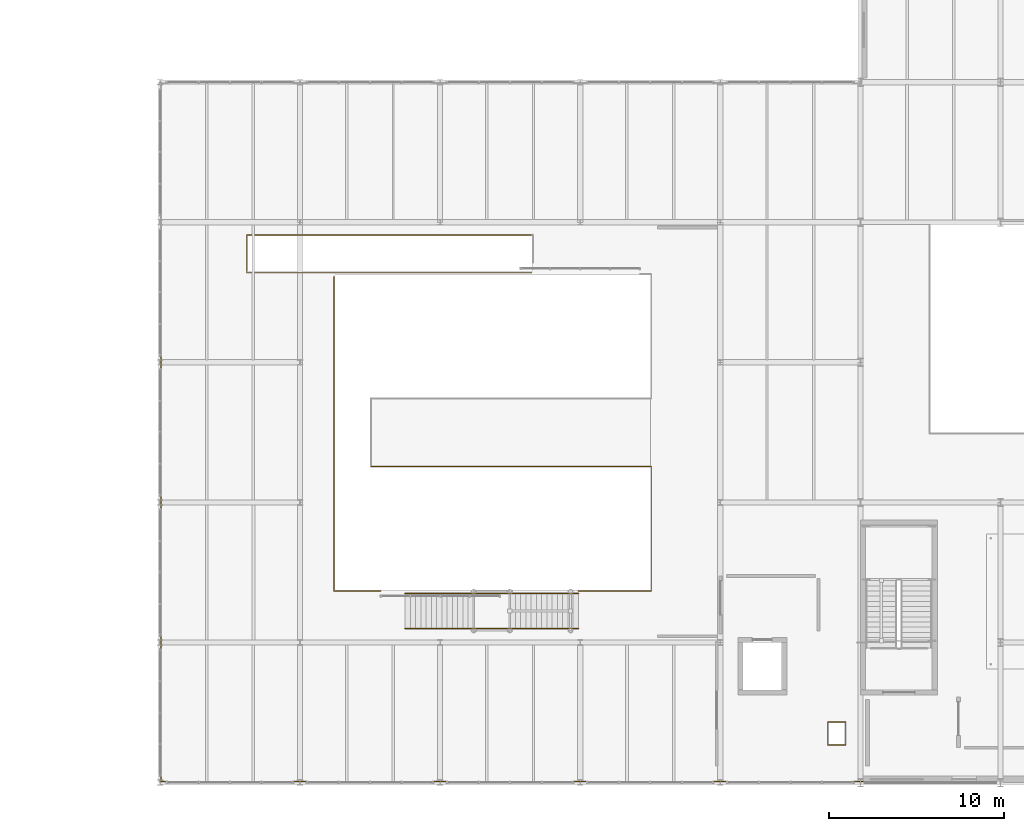
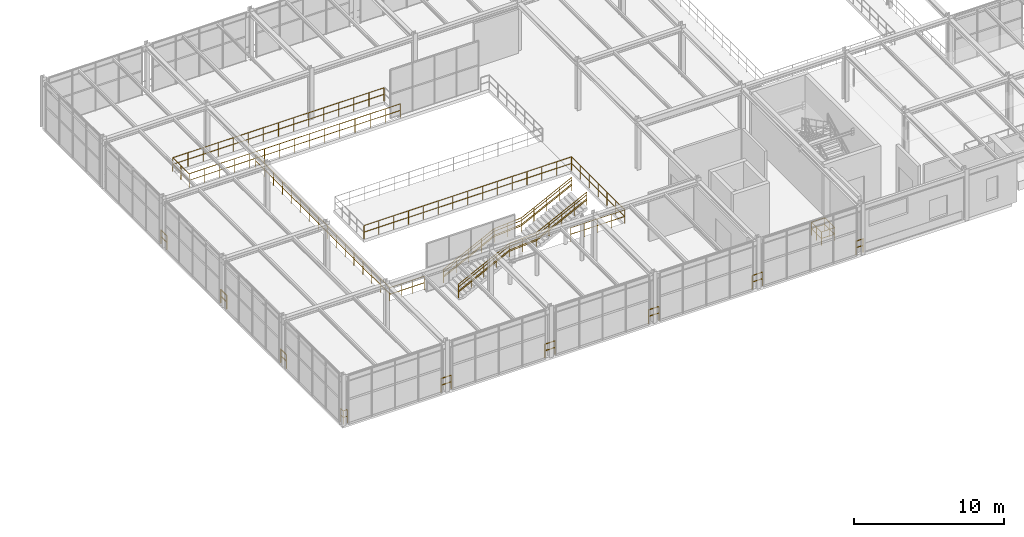
# One storey, part 116 of 124: 17 railings.
"""IFC4 building model written with IfcOpenShell, lengths in metres."""

from ifc_helpers import new_model, si_unit, direction, frame, origin, origin_2d, place, context, subcontext, project, spatial, circle, extrude, material, type_object, element, save


model = new_model("IFC4")

# Units and contexts
model_context = context("Model", 3, precision=1e-05, world=origin(), true_north=direction((0.0, 1.0)))
body_context = subcontext(model_context, "Body", "Model", "MODEL_VIEW")
ifc_project = project(units=[si_unit("LENGTHUNIT", "METRE"), si_unit("AREAUNIT", "SQUARE_METRE"), si_unit("VOLUMEUNIT", "CUBIC_METRE"), si_unit("PLANEANGLEUNIT", "RADIAN"), si_unit("MASSUNIT", "GRAM", prefix="KILO")], contexts=[model_context])

# Site, building, storey
site_placement = place(None, origin())
site = spatial("IfcSite", under=ifc_project, at=site_placement, CompositionType="ELEMENT")
building_placement = place(site_placement, origin())
building = spatial("IfcBuilding", under=site, at=building_placement, Name="Sundkrona Museum", CompositionType="ELEMENT")
storey_placement = place(building_placement, frame((0.0, 0.0, 17.60009765625)))
storey = spatial("IfcBuildingStorey", under=building, at=storey_placement, Name="L03", CompositionType="ELEMENT", Elevation=17.60009765625)

# Railings
ifc_material_1 = material(Name="Painted Steel S355J2 and Laminated Glass Balustrade", Category="steel")
railing_type_1 = type_object("IfcRailingType", Name="RL-GUARD-1100", PredefinedType="BALUSTRADE", material=ifc_material_1)
railing_1_placement = place(storey_placement, frame((101.239990234375, 29.1201171875, 0.0)))
element("IfcRailing", 1, at=railing_1_placement, inside=storey, type_object=railing_type_1, Name="FS-3 Arrival Floor Well Balustrade", PredefinedType="BALUSTRADE", context=body_context, shape_type="SweptSolid", body=[
    extrude(circle(Radius=0.02392578125, at=origin_2d()), frame((0.0, 0.0, 1.09619140625), z_axis=(-1.0, 0.0, 0.0), x_axis=(0.0, -1.0, 0.0)), (0.0, 0.0, 1.0), 16.280029296875),
    extrude(circle(Radius=0.02392578125, at=origin_2d()), frame((0.0, 0.0, 0.56005859375), z_axis=(-1.0, 0.0, 0.0), x_axis=(0.0, -1.0, 0.0)), (0.0, 0.0, 1.0), 16.280029296875),
    extrude(circle(Radius=0.02392578125, at=origin_2d()), frame((-16.280029296875, 0.0, 1.09619140625), z_axis=(0.0, 1.0, 0.0), x_axis=(-1.0, 0.0, 0.0)), (0.0, 0.0, 1.0), 2.159912109375),
    extrude(circle(Radius=0.02392578125, at=origin_2d()), frame((-16.280029296875, 0.0, 0.56005859375), z_axis=(0.0, 1.0, 0.0), x_axis=(-1.0, 0.0, 0.0)), (0.0, 0.0, 1.0), 2.159912109375),
    extrude(circle(Radius=0.02392578125, at=origin_2d()), frame((-16.280029296875, 2.159912109375, 1.09619140625), z_axis=(1.0, 0.0, 0.0), x_axis=(0.0, 1.0, 0.0)), (0.0, 0.0, 1.0), 16.280029296875),
    extrude(circle(Radius=0.02392578125, at=origin_2d()), frame((-16.280029296875, 2.159912109375, 0.56005859375), z_axis=(1.0, 0.0, 0.0), x_axis=(0.0, 1.0, 0.0)), (0.0, 0.0, 1.0), 16.280029296875),
    extrude(circle(Radius=0.02099609375, at=origin_2d()), origin(), (0.0, 0.0, 1.0), 1.072021484375),
    extrude(circle(Radius=0.02099609375, at=origin_2d()), frame((-1.162841796875, 0.0, 0.0)), (0.0, 0.0, 1.0), 1.072021484375),
    extrude(circle(Radius=0.02099609375, at=origin_2d()), frame((-2.32568359375, 0.0, 0.0)), (0.0, 0.0, 1.0), 1.072021484375),
    extrude(circle(Radius=0.02099609375, at=origin_2d()), frame((-3.488525390625, 0.0, 0.0)), (0.0, 0.0, 1.0), 1.072021484375),
    extrude(circle(Radius=0.02099609375, at=origin_2d()), frame((-4.6513671875, 0.0, 0.0)), (0.0, 0.0, 1.0), 1.072021484375),
    extrude(circle(Radius=0.02099609375, at=origin_2d()), frame((-5.814208984375, 0.0, 0.0)), (0.0, 0.0, 1.0), 1.072021484375),
    extrude(circle(Radius=0.02099609375, at=origin_2d()), frame((-6.97705078125, 0.0, 0.0)), (0.0, 0.0, 1.0), 1.072021484375),
    extrude(circle(Radius=0.02099609375, at=origin_2d()), frame((-8.14013671875, 0.0, 0.0)), (0.0, 0.0, 1.0), 1.072021484375),
    extrude(circle(Radius=0.02099609375, at=origin_2d()), frame((-9.302978515625, 0.0, 0.0)), (0.0, 0.0, 1.0), 1.072021484375),
    extrude(circle(Radius=0.02099609375, at=origin_2d()), frame((-10.4658203125, 0.0, 0.0)), (0.0, 0.0, 1.0), 1.072021484375),
    extrude(circle(Radius=0.02099609375, at=origin_2d()), frame((-11.628662109375, 0.0, 0.0)), (0.0, 0.0, 1.0), 1.072021484375),
    extrude(circle(Radius=0.02099609375, at=origin_2d()), frame((-12.79150390625, 0.0, 0.0)), (0.0, 0.0, 1.0), 1.072021484375),
    extrude(circle(Radius=0.02099609375, at=origin_2d()), frame((-13.954345703125, 0.0, 0.0)), (0.0, 0.0, 1.0), 1.072021484375),
    extrude(circle(Radius=0.02099609375, at=origin_2d()), frame((-15.1171875, 0.0, 0.0)), (0.0, 0.0, 1.0), 1.072021484375),
    extrude(circle(Radius=0.02099609375, at=origin_2d()), frame((-16.280029296875, 0.0, 0.0)), (0.0, 0.0, 1.0), 1.072021484375),
    extrude(circle(Radius=0.02099609375, at=origin_2d()), frame((-16.280029296875, 1.080078125, 0.0)), (0.0, 0.0, 1.0), 1.072021484375),
    extrude(circle(Radius=0.02099609375, at=origin_2d()), frame((-16.280029296875, 2.159912109375, 0.0)), (0.0, 0.0, 1.0), 1.072021484375),
    extrude(circle(Radius=0.02099609375, at=origin_2d()), frame((-15.1171875, 2.159912109375, 0.0)), (0.0, 0.0, 1.0), 1.072021484375),
    extrude(circle(Radius=0.02099609375, at=origin_2d()), frame((-13.954345703125, 2.159912109375, 0.0)), (0.0, 0.0, 1.0), 1.072021484375),
    extrude(circle(Radius=0.02099609375, at=origin_2d()), frame((-12.79150390625, 2.159912109375, 0.0)), (0.0, 0.0, 1.0), 1.072021484375),
    extrude(circle(Radius=0.02099609375, at=origin_2d()), frame((-11.628662109375, 2.159912109375, 0.0)), (0.0, 0.0, 1.0), 1.072021484375),
    extrude(circle(Radius=0.02099609375, at=origin_2d()), frame((-10.4658203125, 2.159912109375, 0.0)), (0.0, 0.0, 1.0), 1.072021484375),
    extrude(circle(Radius=0.02099609375, at=origin_2d()), frame((-9.302978515625, 2.159912109375, 0.0)), (0.0, 0.0, 1.0), 1.072021484375),
    extrude(circle(Radius=0.02099609375, at=origin_2d()), frame((-8.14013671875, 2.159912109375, 0.0)), (0.0, 0.0, 1.0), 1.072021484375),
    extrude(circle(Radius=0.02099609375, at=origin_2d()), frame((-6.97705078125, 2.159912109375, 0.0)), (0.0, 0.0, 1.0), 1.072021484375),
    extrude(circle(Radius=0.02099609375, at=origin_2d()), frame((-5.814208984375, 2.159912109375, 0.0)), (0.0, 0.0, 1.0), 1.072021484375),
    extrude(circle(Radius=0.02099609375, at=origin_2d()), frame((-4.6513671875, 2.159912109375, 0.0)), (0.0, 0.0, 1.0), 1.072021484375),
    extrude(circle(Radius=0.02099609375, at=origin_2d()), frame((-3.488525390625, 2.159912109375, 0.0)), (0.0, 0.0, 1.0), 1.072021484375),
    extrude(circle(Radius=0.02099609375, at=origin_2d()), frame((-2.32568359375, 2.159912109375, 0.0)), (0.0, 0.0, 1.0), 1.072021484375),
    extrude(circle(Radius=0.02099609375, at=origin_2d()), frame((-1.162841796875, 2.159912109375, 0.0)), (0.0, 0.0, 1.0), 1.072021484375),
    extrude(circle(Radius=0.02099609375, at=origin_2d()), frame((0.0, 2.159912109375, 0.0)), (0.0, 0.0, 1.0), 1.072021484375),
])
railing_2_placement = place(storey_placement, frame((94.0, 10.800048828125, 0.14990234375)))
element("IfcRailing", 2, at=railing_2_placement, inside=storey, type_object=railing_type_1, Name="FS-4 Feature Stair Balustrade L", PredefinedType="BALUSTRADE", context=body_context, shape_type="SweptSolid", body=[
    extrude(circle(Radius=0.02392578125, at=origin_2d()), frame((0.0, 0.0, 1.09619140625), z_axis=(0.894427191, 0.0, 0.4472135955), x_axis=(0.0, 1.0, 0.0)), (0.0, 0.0, 1.0), 4.360107421875),
    extrude(circle(Radius=0.02392578125, at=origin_2d()), frame((0.0, 0.0, 0.56005859375), z_axis=(0.894427191, 0.0, 0.4472135955), x_axis=(0.0, 1.0, 0.0)), (0.0, 0.0, 1.0), 4.360107421875),
    extrude(circle(Radius=0.02392578125, at=origin_2d()), frame((3.89990234375, 0.0, 3.0458984375), z_axis=(0.997453988777, 0.0, 0.071312974087), x_axis=(0.0, 1.0, 0.0)), (0.0, 0.0, 1.0), 2.10546875),
    extrude(circle(Radius=0.02392578125, at=origin_2d()), frame((3.89990234375, 0.0, 2.510009765625), z_axis=(0.997453988777, 0.0, 0.071312974087), x_axis=(0.0, 1.0, 0.0)), (0.0, 0.0, 1.0), 2.10546875),
    extrude(circle(Radius=0.02392578125, at=origin_2d()), frame((6.0, 0.0, 3.1962890625), z_axis=(0.894427191, 0.0, 0.4472135955), x_axis=(0.0, 1.0, 0.0)), (0.0, 0.0, 1.0), 4.360107421875),
    extrude(circle(Radius=0.02392578125, at=origin_2d()), frame((6.0, 0.0, 2.66015625), z_axis=(0.894427191, 0.0, 0.4472135955), x_axis=(0.0, 1.0, 0.0)), (0.0, 0.0, 1.0), 4.360107421875),
    extrude(circle(Radius=0.02099609375, at=origin_2d()), origin(), (0.0, 0.0, 1.0), 1.072021484375),
    extrude(circle(Radius=0.02099609375, at=origin_2d()), frame((0.97509765625, 0.0, 0.487548828125)), (0.0, 0.0, 1.0), 1.072021484375),
    extrude(circle(Radius=0.02099609375, at=origin_2d()), frame((1.949951171875, 0.0, 0.97509765625)), (0.0, 0.0, 1.0), 1.072021484375),
    extrude(circle(Radius=0.02099609375, at=origin_2d()), frame((2.9248046875, 0.0, 1.46240234375)), (0.0, 0.0, 1.0), 1.072021484375),
    extrude(circle(Radius=0.02099609375, at=origin_2d()), frame((3.89990234375, 0.0, 1.949951171875)), (0.0, 0.0, 1.0), 1.072021484375),
    extrude(circle(Radius=0.02099609375, at=origin_2d()), frame((4.949951171875, 0.0, 2.02490234375)), (0.0, 0.0, 1.0), 1.072021484375),
    extrude(circle(Radius=0.02099609375, at=origin_2d()), frame((6.0, 0.0, 2.10009765625)), (0.0, 0.0, 1.0), 1.072021484375),
    extrude(circle(Radius=0.02099609375, at=origin_2d()), frame((6.97509765625, 0.0, 2.587646484375)), (0.0, 0.0, 1.0), 1.072021484375),
    extrude(circle(Radius=0.02099609375, at=origin_2d()), frame((7.949951171875, 0.0, 3.0751953125)), (0.0, 0.0, 1.0), 1.072021484375),
    extrude(circle(Radius=0.02099609375, at=origin_2d()), frame((8.9248046875, 0.0, 3.5625)), (0.0, 0.0, 1.0), 1.072021484375),
    extrude(circle(Radius=0.02099609375, at=origin_2d()), frame((9.89990234375, 0.0, 4.050048828125)), (0.0, 0.0, 1.0), 1.072021484375),
])
railing_3_placement = place(storey_placement, frame((94.0, 8.800048828125, 0.14990234375)))
element("IfcRailing", 3, at=railing_3_placement, inside=storey, type_object=railing_type_1, Name="FS-4 Feature Stair Balustrade R", PredefinedType="BALUSTRADE", context=body_context, shape_type="SweptSolid", body=[
    extrude(circle(Radius=0.02392578125, at=origin_2d()), frame((0.0, 0.0, 1.09619140625), z_axis=(0.894427191, 0.0, 0.4472135955), x_axis=(0.0, 1.0, 0.0)), (0.0, 0.0, 1.0), 4.360107421875),
    extrude(circle(Radius=0.02392578125, at=origin_2d()), frame((0.0, 0.0, 0.56005859375), z_axis=(0.894427191, 0.0, 0.4472135955), x_axis=(0.0, 1.0, 0.0)), (0.0, 0.0, 1.0), 4.360107421875),
    extrude(circle(Radius=0.02392578125, at=origin_2d()), frame((3.89990234375, 0.0, 3.0458984375), z_axis=(0.997453988777, 0.0, 0.071312974087), x_axis=(0.0, 1.0, 0.0)), (0.0, 0.0, 1.0), 2.10546875),
    extrude(circle(Radius=0.02392578125, at=origin_2d()), frame((3.89990234375, 0.0, 2.510009765625), z_axis=(0.997453988777, 0.0, 0.071312974087), x_axis=(0.0, 1.0, 0.0)), (0.0, 0.0, 1.0), 2.10546875),
    extrude(circle(Radius=0.02392578125, at=origin_2d()), frame((6.0, 0.0, 3.1962890625), z_axis=(0.894427191, 0.0, 0.4472135955), x_axis=(0.0, 1.0, 0.0)), (0.0, 0.0, 1.0), 4.360107421875),
    extrude(circle(Radius=0.02392578125, at=origin_2d()), frame((6.0, 0.0, 2.66015625), z_axis=(0.894427191, 0.0, 0.4472135955), x_axis=(0.0, 1.0, 0.0)), (0.0, 0.0, 1.0), 4.360107421875),
    extrude(circle(Radius=0.02099609375, at=origin_2d()), origin(), (0.0, 0.0, 1.0), 1.072021484375),
    extrude(circle(Radius=0.02099609375, at=origin_2d()), frame((0.97509765625, 0.0, 0.487548828125)), (0.0, 0.0, 1.0), 1.072021484375),
    extrude(circle(Radius=0.02099609375, at=origin_2d()), frame((1.949951171875, 0.0, 0.97509765625)), (0.0, 0.0, 1.0), 1.072021484375),
    extrude(circle(Radius=0.02099609375, at=origin_2d()), frame((2.9248046875, 0.0, 1.46240234375)), (0.0, 0.0, 1.0), 1.072021484375),
    extrude(circle(Radius=0.02099609375, at=origin_2d()), frame((3.89990234375, 0.0, 1.949951171875)), (0.0, 0.0, 1.0), 1.072021484375),
    extrude(circle(Radius=0.02099609375, at=origin_2d()), frame((4.949951171875, 0.0, 2.02490234375)), (0.0, 0.0, 1.0), 1.072021484375),
    extrude(circle(Radius=0.02099609375, at=origin_2d()), frame((6.0, 0.0, 2.10009765625)), (0.0, 0.0, 1.0), 1.072021484375),
    extrude(circle(Radius=0.02099609375, at=origin_2d()), frame((6.97509765625, 0.0, 2.587646484375)), (0.0, 0.0, 1.0), 1.072021484375),
    extrude(circle(Radius=0.02099609375, at=origin_2d()), frame((7.949951171875, 0.0, 3.0751953125)), (0.0, 0.0, 1.0), 1.072021484375),
    extrude(circle(Radius=0.02099609375, at=origin_2d()), frame((8.9248046875, 0.0, 3.5625)), (0.0, 0.0, 1.0), 1.072021484375),
    extrude(circle(Radius=0.02099609375, at=origin_2d()), frame((9.89990234375, 0.0, 4.050048828125)), (0.0, 0.0, 1.0), 1.072021484375),
])
railing_4_placement = place(storey_placement, frame((80.39990234375, 0.06005859375, 0.0)))
element("IfcRailing", 4, at=railing_4_placement, inside=storey, type_object=railing_type_1, Name="L03 Edge Protection Balustrade 017", PredefinedType="BALUSTRADE", context=body_context, shape_type="SweptSolid", body=[
    extrude(circle(Radius=0.02392578125, at=origin_2d()), frame((0.0, 0.0, 1.09619140625), z_axis=(-1.0, 0.0, 0.0), x_axis=(0.0, -1.0, 0.0)), (0.0, 0.0, 1.0), 0.33984375),
    extrude(circle(Radius=0.02392578125, at=origin_2d()), frame((0.0, 0.0, 0.56005859375), z_axis=(-1.0, 0.0, 0.0), x_axis=(0.0, -1.0, 0.0)), (0.0, 0.0, 1.0), 0.33984375),
    extrude(circle(Radius=0.02392578125, at=origin_2d()), frame((-0.33984375, 0.0, 1.09619140625), z_axis=(0.0, 1.0, 0.0), x_axis=(-1.0, 0.0, 0.0)), (0.0, 0.0, 1.0), 0.33984375),
    extrude(circle(Radius=0.02392578125, at=origin_2d()), frame((-0.33984375, 0.0, 0.56005859375), z_axis=(0.0, 1.0, 0.0), x_axis=(-1.0, 0.0, 0.0)), (0.0, 0.0, 1.0), 0.33984375),
    extrude(circle(Radius=0.02099609375, at=origin_2d()), origin(), (0.0, 0.0, 1.0), 1.072021484375),
    extrude(circle(Radius=0.02099609375, at=origin_2d()), frame((-0.33984375, 0.0, 0.0)), (0.0, 0.0, 1.0), 1.072021484375),
    extrude(circle(Radius=0.02099609375, at=origin_2d()), frame((-0.33984375, 0.33984375, 0.0)), (0.0, 0.0, 1.0), 1.072021484375),
])
for number, where, name in (
    (5, (80.06005859375, 7.60009765625, 0.0), "L03 Edge Protection Balustrade 018"),
    (6, (80.06005859375, 15.60009765625, 0.0), "L03 Edge Protection Balustrade 019"),
    (7, (80.06005859375, 23.60009765625, 0.0), "L03 Edge Protection Balustrade 020"),
):
    element("IfcRailing", number, at=place(storey_placement, frame(where)), inside=storey, type_object=railing_type_1, Name=name, PredefinedType="BALUSTRADE", context=body_context, shape_type="SweptSolid", body=[
        extrude(circle(Radius=0.02392578125, at=origin_2d()), frame((0.0, 0.0, 1.09619140625), z_axis=(0.0, 1.0, 0.0), x_axis=(-1.0, 0.0, 0.0)), (0.0, 0.0, 1.0), 0.7998046875),
        extrude(circle(Radius=0.02392578125, at=origin_2d()), frame((0.0, 0.0, 0.56005859375), z_axis=(0.0, 1.0, 0.0), x_axis=(-1.0, 0.0, 0.0)), (0.0, 0.0, 1.0), 0.7998046875),
        extrude(circle(Radius=0.02099609375, at=origin_2d()), origin(), (0.0, 0.0, 1.0), 1.072021484375),
        extrude(circle(Radius=0.02099609375, at=origin_2d()), frame((0.0, 0.7998046875, 0.0)), (0.0, 0.0, 1.0), 1.072021484375),
    ])
railing_5_placement = place(storey_placement, frame((88.39990234375, 0.06005859375, 0.0)))
element("IfcRailing", 8, at=railing_5_placement, inside=storey, type_object=railing_type_1, Name="L03 Edge Protection Balustrade 023", PredefinedType="BALUSTRADE", context=body_context, shape_type="SweptSolid", body=[
    extrude(circle(Radius=0.02392578125, at=origin_2d()), frame((0.0, 0.0, 1.09619140625), z_axis=(-1.0, 0.0, 0.0), x_axis=(0.0, -1.0, 0.0)), (0.0, 0.0, 1.0), 0.7998046875),
    extrude(circle(Radius=0.02392578125, at=origin_2d()), frame((0.0, 0.0, 0.56005859375), z_axis=(-1.0, 0.0, 0.0), x_axis=(0.0, -1.0, 0.0)), (0.0, 0.0, 1.0), 0.7998046875),
    extrude(circle(Radius=0.02099609375, at=origin_2d()), origin(), (0.0, 0.0, 1.0), 1.072021484375),
    extrude(circle(Radius=0.02099609375, at=origin_2d()), frame((-0.7998046875, 0.0, 0.0)), (0.0, 0.0, 1.0), 1.072021484375),
])
railing_6_placement = place(storey_placement, frame((89.93994140625, 28.860107421875, 0.0)))
element("IfcRailing", 9, at=railing_6_placement, inside=storey, type_object=railing_type_1, Name="L03 Edge Protection Balustrade 025", PredefinedType="BALUSTRADE", context=body_context, shape_type="SweptSolid", body=[
    extrude(circle(Radius=0.02392578125, at=origin_2d()), frame((0.0, 0.0, 1.09619140625), z_axis=(0.0, -1.0, 0.0), x_axis=(1.0, 0.0, 0.0)), (0.0, 0.0, 1.0), 17.920166015625),
    extrude(circle(Radius=0.02392578125, at=origin_2d()), frame((0.0, 0.0, 0.56005859375), z_axis=(0.0, -1.0, 0.0), x_axis=(1.0, 0.0, 0.0)), (0.0, 0.0, 1.0), 17.920166015625),
    extrude(circle(Radius=0.02392578125, at=origin_2d()), frame((0.0, -17.920166015625, 1.09619140625), z_axis=(1.0, 0.0, 0.0), x_axis=(0.0, 1.0, 0.0)), (0.0, 0.0, 1.0), 2.66015625),
    extrude(circle(Radius=0.02392578125, at=origin_2d()), frame((0.0, -17.920166015625, 0.56005859375), z_axis=(1.0, 0.0, 0.0), x_axis=(0.0, 1.0, 0.0)), (0.0, 0.0, 1.0), 2.66015625),
    extrude(circle(Radius=0.02099609375, at=origin_2d()), origin(), (0.0, 0.0, 1.0), 1.072021484375),
    extrude(circle(Radius=0.02099609375, at=origin_2d()), frame((0.0, -1.194580078125, 0.0)), (0.0, 0.0, 1.0), 1.072021484375),
    extrude(circle(Radius=0.02099609375, at=origin_2d()), frame((0.0, -2.389404296875, 0.0)), (0.0, 0.0, 1.0), 1.072021484375),
    extrude(circle(Radius=0.02099609375, at=origin_2d()), frame((0.0, -3.583984375, 0.0)), (0.0, 0.0, 1.0), 1.072021484375),
    extrude(circle(Radius=0.02099609375, at=origin_2d()), frame((0.0, -4.77880859375, 0.0)), (0.0, 0.0, 1.0), 1.072021484375),
    extrude(circle(Radius=0.02099609375, at=origin_2d()), frame((0.0, -5.973388671875, 0.0)), (0.0, 0.0, 1.0), 1.072021484375),
    extrude(circle(Radius=0.02099609375, at=origin_2d()), frame((0.0, -7.16796875, 0.0)), (0.0, 0.0, 1.0), 1.072021484375),
    extrude(circle(Radius=0.02099609375, at=origin_2d()), frame((0.0, -8.36279296875, 0.0)), (0.0, 0.0, 1.0), 1.072021484375),
    extrude(circle(Radius=0.02099609375, at=origin_2d()), frame((0.0, -9.557373046875, 0.0)), (0.0, 0.0, 1.0), 1.072021484375),
    extrude(circle(Radius=0.02099609375, at=origin_2d()), frame((0.0, -10.752197265625, 0.0)), (0.0, 0.0, 1.0), 1.072021484375),
    extrude(circle(Radius=0.02099609375, at=origin_2d()), frame((0.0, -11.94677734375, 0.0)), (0.0, 0.0, 1.0), 1.072021484375),
    extrude(circle(Radius=0.02099609375, at=origin_2d()), frame((0.0, -13.141357421875, 0.0)), (0.0, 0.0, 1.0), 1.072021484375),
    extrude(circle(Radius=0.02099609375, at=origin_2d()), frame((0.0, -14.336181640625, 0.0)), (0.0, 0.0, 1.0), 1.072021484375),
    extrude(circle(Radius=0.02099609375, at=origin_2d()), frame((0.0, -15.53076171875, 0.0)), (0.0, 0.0, 1.0), 1.072021484375),
    extrude(circle(Radius=0.02099609375, at=origin_2d()), frame((0.0, -16.7255859375, 0.0)), (0.0, 0.0, 1.0), 1.072021484375),
    extrude(circle(Radius=0.02099609375, at=origin_2d()), frame((0.0, -17.920166015625, 0.0)), (0.0, 0.0, 1.0), 1.072021484375),
    extrude(circle(Radius=0.02099609375, at=origin_2d()), frame((0.88671875, -17.920166015625, 0.0)), (0.0, 0.0, 1.0), 1.072021484375),
    extrude(circle(Radius=0.02099609375, at=origin_2d()), frame((1.7734375, -17.920166015625, 0.0)), (0.0, 0.0, 1.0), 1.072021484375),
    extrude(circle(Radius=0.02099609375, at=origin_2d()), frame((2.66015625, -17.920166015625, 0.0)), (0.0, 0.0, 1.0), 1.072021484375),
])
railing_7_placement = place(storey_placement, frame((103.89990234375, 10.93994140625, 0.0)))
element("IfcRailing", 10, at=railing_7_placement, inside=storey, type_object=railing_type_1, Name="L03 Edge Protection Balustrade 026", PredefinedType="BALUSTRADE", context=body_context, shape_type="SweptSolid", body=[
    extrude(circle(Radius=0.02392578125, at=origin_2d()), frame((0.0, 0.0, 1.09619140625), z_axis=(1.0, 0.0, 0.0), x_axis=(0.0, 1.0, 0.0)), (0.0, 0.0, 1.0), 4.16015625),
    extrude(circle(Radius=0.02392578125, at=origin_2d()), frame((0.0, 0.0, 0.56005859375), z_axis=(1.0, 0.0, 0.0), x_axis=(0.0, 1.0, 0.0)), (0.0, 0.0, 1.0), 4.16015625),
    extrude(circle(Radius=0.02392578125, at=origin_2d()), frame((4.16015625, 0.0, 1.09619140625), z_axis=(0.0, 1.0, 0.0), x_axis=(-1.0, 0.0, 0.0)), (0.0, 0.0, 1.0), 7.1201171875),
    extrude(circle(Radius=0.02392578125, at=origin_2d()), frame((4.16015625, 0.0, 0.56005859375), z_axis=(0.0, 1.0, 0.0), x_axis=(-1.0, 0.0, 0.0)), (0.0, 0.0, 1.0), 7.1201171875),
    extrude(circle(Radius=0.02392578125, at=origin_2d()), frame((4.16015625, 7.1201171875, 1.09619140625), z_axis=(-1.0, 0.0, 0.0), x_axis=(0.0, -1.0, 0.0)), (0.0, 0.0, 1.0), 16.0),
    extrude(circle(Radius=0.02392578125, at=origin_2d()), frame((4.16015625, 7.1201171875, 0.56005859375), z_axis=(-1.0, 0.0, 0.0), x_axis=(0.0, -1.0, 0.0)), (0.0, 0.0, 1.0), 16.0),
    extrude(circle(Radius=0.02099609375, at=origin_2d()), origin(), (0.0, 0.0, 1.0), 1.072021484375),
    extrude(circle(Radius=0.02099609375, at=origin_2d()), frame((1.0400390625, 0.0, 0.0)), (0.0, 0.0, 1.0), 1.072021484375),
    extrude(circle(Radius=0.02099609375, at=origin_2d()), frame((2.080078125, 0.0, 0.0)), (0.0, 0.0, 1.0), 1.072021484375),
    extrude(circle(Radius=0.02099609375, at=origin_2d()), frame((3.1201171875, 0.0, 0.0)), (0.0, 0.0, 1.0), 1.072021484375),
    extrude(circle(Radius=0.02099609375, at=origin_2d()), frame((4.16015625, 0.0, 0.0)), (0.0, 0.0, 1.0), 1.072021484375),
    extrude(circle(Radius=0.02099609375, at=origin_2d()), frame((4.16015625, 1.186767578125, 0.0)), (0.0, 0.0, 1.0), 1.072021484375),
    extrude(circle(Radius=0.02099609375, at=origin_2d()), frame((4.16015625, 2.373291015625, 0.0)), (0.0, 0.0, 1.0), 1.072021484375),
    extrude(circle(Radius=0.02099609375, at=origin_2d()), frame((4.16015625, 3.56005859375, 0.0)), (0.0, 0.0, 1.0), 1.072021484375),
    extrude(circle(Radius=0.02099609375, at=origin_2d()), frame((4.16015625, 4.746826171875, 0.0)), (0.0, 0.0, 1.0), 1.072021484375),
    extrude(circle(Radius=0.02099609375, at=origin_2d()), frame((4.16015625, 5.933349609375, 0.0)), (0.0, 0.0, 1.0), 1.072021484375),
    extrude(circle(Radius=0.02099609375, at=origin_2d()), frame((4.16015625, 7.1201171875, 0.0)), (0.0, 0.0, 1.0), 1.072021484375),
    extrude(circle(Radius=0.02099609375, at=origin_2d()), frame((3.017333984375, 7.1201171875, 0.0)), (0.0, 0.0, 1.0), 1.072021484375),
    extrude(circle(Radius=0.02099609375, at=origin_2d()), frame((1.87451171875, 7.1201171875, 0.0)), (0.0, 0.0, 1.0), 1.072021484375),
    extrude(circle(Radius=0.02099609375, at=origin_2d()), frame((0.731689453125, 7.1201171875, 0.0)), (0.0, 0.0, 1.0), 1.072021484375),
    extrude(circle(Radius=0.02099609375, at=origin_2d()), frame((-0.411376953125, 7.1201171875, 0.0)), (0.0, 0.0, 1.0), 1.072021484375),
    extrude(circle(Radius=0.02099609375, at=origin_2d()), frame((-1.55419921875, 7.1201171875, 0.0)), (0.0, 0.0, 1.0), 1.072021484375),
    extrude(circle(Radius=0.02099609375, at=origin_2d()), frame((-2.697021484375, 7.1201171875, 0.0)), (0.0, 0.0, 1.0), 1.072021484375),
    extrude(circle(Radius=0.02099609375, at=origin_2d()), frame((-3.83984375, 7.1201171875, 0.0)), (0.0, 0.0, 1.0), 1.072021484375),
    extrude(circle(Radius=0.02099609375, at=origin_2d()), frame((-4.982666015625, 7.1201171875, 0.0)), (0.0, 0.0, 1.0), 1.072021484375),
    extrude(circle(Radius=0.02099609375, at=origin_2d()), frame((-6.12548828125, 7.1201171875, 0.0)), (0.0, 0.0, 1.0), 1.072021484375),
    extrude(circle(Radius=0.02099609375, at=origin_2d()), frame((-7.268310546875, 7.1201171875, 0.0)), (0.0, 0.0, 1.0), 1.072021484375),
    extrude(circle(Radius=0.02099609375, at=origin_2d()), frame((-8.411376953125, 7.1201171875, 0.0)), (0.0, 0.0, 1.0), 1.072021484375),
    extrude(circle(Radius=0.02099609375, at=origin_2d()), frame((-9.55419921875, 7.1201171875, 0.0)), (0.0, 0.0, 1.0), 1.072021484375),
    extrude(circle(Radius=0.02099609375, at=origin_2d()), frame((-10.697021484375, 7.1201171875, 0.0)), (0.0, 0.0, 1.0), 1.072021484375),
    extrude(circle(Radius=0.02099609375, at=origin_2d()), frame((-11.83984375, 7.1201171875, 0.0)), (0.0, 0.0, 1.0), 1.072021484375),
])
for number, where, name in (
    (11, (96.39990234375, 0.06005859375, 0.0), "L03 Edge Protection Balustrade 028"),
    (12, (104.39990234375, 0.06005859375, 0.0), "L03 Edge Protection Balustrade 031"),
    (13, (112.39990234375, 0.06005859375, 0.0), "L03 Edge Protection Balustrade 033"),
):
    element("IfcRailing", number, at=place(storey_placement, frame(where)), inside=storey, type_object=railing_type_1, Name=name, PredefinedType="BALUSTRADE", context=body_context, shape_type="SweptSolid", body=[
        extrude(circle(Radius=0.02392578125, at=origin_2d()), frame((0.0, 0.0, 1.09619140625), z_axis=(-1.0, 0.0, 0.0), x_axis=(0.0, -1.0, 0.0)), (0.0, 0.0, 1.0), 0.7998046875),
        extrude(circle(Radius=0.02392578125, at=origin_2d()), frame((0.0, 0.0, 0.56005859375), z_axis=(-1.0, 0.0, 0.0), x_axis=(0.0, -1.0, 0.0)), (0.0, 0.0, 1.0), 0.7998046875),
        extrude(circle(Radius=0.02099609375, at=origin_2d()), origin(), (0.0, 0.0, 1.0), 1.072021484375),
        extrude(circle(Radius=0.02099609375, at=origin_2d()), frame((-0.7998046875, 0.0, 0.0)), (0.0, 0.0, 1.0), 1.072021484375),
    ])
railing_8_placement = place(storey_placement, frame((118.139892578125, 3.4599609375, 0.0)))
element("IfcRailing", 14, at=railing_8_placement, inside=storey, type_object=railing_type_1, Name="L03 Edge Protection Balustrade 035", PredefinedType="BALUSTRADE", context=body_context, shape_type="SweptSolid", body=[
    extrude(circle(Radius=0.02392578125, at=origin_2d()), frame((0.0, 0.0, 1.09619140625), z_axis=(0.0, -1.0, 0.0), x_axis=(1.0, 0.0, 0.0)), (0.0, 0.0, 1.0), 1.320068359375),
    extrude(circle(Radius=0.02392578125, at=origin_2d()), frame((0.0, 0.0, 0.56005859375), z_axis=(0.0, -1.0, 0.0), x_axis=(1.0, 0.0, 0.0)), (0.0, 0.0, 1.0), 1.320068359375),
    extrude(circle(Radius=0.02392578125, at=origin_2d()), frame((0.0, -1.320068359375, 1.09619140625), z_axis=(1.0, 0.0, 0.0), x_axis=(0.0, 1.0, 0.0)), (0.0, 0.0, 1.0), 1.02001953125),
    extrude(circle(Radius=0.02392578125, at=origin_2d()), frame((0.0, -1.320068359375, 0.56005859375), z_axis=(1.0, 0.0, 0.0), x_axis=(0.0, 1.0, 0.0)), (0.0, 0.0, 1.0), 1.02001953125),
    extrude(circle(Radius=0.02392578125, at=origin_2d()), frame((1.02001953125, -1.320068359375, 1.09619140625), z_axis=(0.0, 1.0, 0.0), x_axis=(-1.0, 0.0, 0.0)), (0.0, 0.0, 1.0), 1.320068359375),
    extrude(circle(Radius=0.02392578125, at=origin_2d()), frame((1.02001953125, -1.320068359375, 0.56005859375), z_axis=(0.0, 1.0, 0.0), x_axis=(-1.0, 0.0, 0.0)), (0.0, 0.0, 1.0), 1.320068359375),
    extrude(circle(Radius=0.02392578125, at=origin_2d()), frame((1.02001953125, 0.0, 1.09619140625), z_axis=(-1.0, 0.0, 0.0), x_axis=(0.0, -1.0, 0.0)), (0.0, 0.0, 1.0), 1.02001953125),
    extrude(circle(Radius=0.02392578125, at=origin_2d()), frame((1.02001953125, 0.0, 0.56005859375), z_axis=(-1.0, 0.0, 0.0), x_axis=(0.0, -1.0, 0.0)), (0.0, 0.0, 1.0), 1.02001953125),
    extrude(circle(Radius=0.02099609375, at=origin_2d()), origin(), (0.0, 0.0, 1.0), 1.072021484375),
    extrude(circle(Radius=0.02099609375, at=origin_2d()), frame((0.0, -0.66015625, 0.0)), (0.0, 0.0, 1.0), 1.072021484375),
    extrude(circle(Radius=0.02099609375, at=origin_2d()), frame((0.0, -1.320068359375, 0.0)), (0.0, 0.0, 1.0), 1.072021484375),
    extrude(circle(Radius=0.02099609375, at=origin_2d()), frame((1.02001953125, -1.320068359375, 0.0)), (0.0, 0.0, 1.0), 1.072021484375),
    extrude(circle(Radius=0.02099609375, at=origin_2d()), frame((1.02001953125, -0.66015625, 0.0)), (0.0, 0.0, 1.0), 1.072021484375),
    extrude(circle(Radius=0.02099609375, at=origin_2d()), frame((1.02001953125, 0.0, 0.0)), (0.0, 0.0, 1.0), 1.072021484375),
])
railing_9_placement = place(storey_placement, frame((120.152099609375, 0.06005859375, 0.0)))
element("IfcRailing", 15, at=railing_9_placement, inside=storey, type_object=railing_type_1, Name="L03 Edge Protection Balustrade 036", PredefinedType="BALUSTRADE", context=body_context, shape_type="SweptSolid", body=[
    extrude(circle(Radius=0.02392578125, at=origin_2d()), frame((0.0, 0.0, 1.09619140625), z_axis=(-1.0, 0.0, 0.0), x_axis=(0.0, -1.0, 0.0)), (0.0, 0.0, 1.0), 0.552001953125),
    extrude(circle(Radius=0.02392578125, at=origin_2d()), frame((0.0, 0.0, 0.56005859375), z_axis=(-1.0, 0.0, 0.0), x_axis=(0.0, -1.0, 0.0)), (0.0, 0.0, 1.0), 0.552001953125),
    extrude(circle(Radius=0.02099609375, at=origin_2d()), origin(), (0.0, 0.0, 1.0), 1.072021484375),
    extrude(circle(Radius=0.02099609375, at=origin_2d()), frame((-0.552001953125, 0.0, 0.0)), (0.0, 0.0, 1.0), 1.072021484375),
])
ifc_material_2 = material(Name="Brushed Bronze-Clad Steel Handrail", Category="steel")
railing_type_2 = type_object("IfcRailingType", Name="RL-HAND-900", PredefinedType="HANDRAIL", material=ifc_material_2)
railing_10_placement = place(storey_placement, frame((94.0, 10.800048828125, 0.14990234375)))
element("IfcRailing", 16, at=railing_10_placement, inside=storey, type_object=railing_type_2, Name="FS-4 Feature Stair Handrail L", PredefinedType="HANDRAIL", context=body_context, shape_type="SweptSolid", body=[
    extrude(circle(Radius=0.02392578125, at=origin_2d()), frame((0.0, 0.0, 0.8759765625), z_axis=(0.894427191, 0.0, 0.4472135955), x_axis=(0.0, 1.0, 0.0)), (0.0, 0.0, 1.0), 4.360107421875),
    extrude(circle(Radius=0.02392578125, at=origin_2d()), frame((0.0, 0.0, 0.449951171875), z_axis=(0.894427191, 0.0, 0.4472135955), x_axis=(0.0, 1.0, 0.0)), (0.0, 0.0, 1.0), 4.360107421875),
    extrude(circle(Radius=0.02392578125, at=origin_2d()), frame((3.89990234375, 0.0, 2.82568359375), z_axis=(0.997453988777, 0.0, 0.071312974087), x_axis=(0.0, 1.0, 0.0)), (0.0, 0.0, 1.0), 2.10546875),
    extrude(circle(Radius=0.02392578125, at=origin_2d()), frame((3.89990234375, 0.0, 2.39990234375), z_axis=(0.997453988777, 0.0, 0.071312974087), x_axis=(0.0, 1.0, 0.0)), (0.0, 0.0, 1.0), 2.10546875),
    extrude(circle(Radius=0.02392578125, at=origin_2d()), frame((6.0, 0.0, 2.97607421875), z_axis=(0.894427191, 0.0, 0.4472135955), x_axis=(0.0, 1.0, 0.0)), (0.0, 0.0, 1.0), 4.360107421875),
    extrude(circle(Radius=0.02392578125, at=origin_2d()), frame((6.0, 0.0, 2.550048828125), z_axis=(0.894427191, 0.0, 0.4472135955), x_axis=(0.0, 1.0, 0.0)), (0.0, 0.0, 1.0), 4.360107421875),
    extrude(circle(Radius=0.02099609375, at=origin_2d()), origin(), (0.0, 0.0, 1.0), 0.851806640625),
    extrude(circle(Radius=0.02099609375, at=origin_2d()), frame((0.97509765625, 0.0, 0.487548828125)), (0.0, 0.0, 1.0), 0.851806640625),
    extrude(circle(Radius=0.02099609375, at=origin_2d()), frame((1.949951171875, 0.0, 0.97509765625)), (0.0, 0.0, 1.0), 0.851806640625),
    extrude(circle(Radius=0.02099609375, at=origin_2d()), frame((2.9248046875, 0.0, 1.46240234375)), (0.0, 0.0, 1.0), 0.851806640625),
    extrude(circle(Radius=0.02099609375, at=origin_2d()), frame((3.89990234375, 0.0, 1.949951171875)), (0.0, 0.0, 1.0), 0.851806640625),
    extrude(circle(Radius=0.02099609375, at=origin_2d()), frame((4.949951171875, 0.0, 2.02490234375)), (0.0, 0.0, 1.0), 0.851806640625),
    extrude(circle(Radius=0.02099609375, at=origin_2d()), frame((6.0, 0.0, 2.10009765625)), (0.0, 0.0, 1.0), 0.851806640625),
    extrude(circle(Radius=0.02099609375, at=origin_2d()), frame((6.97509765625, 0.0, 2.587646484375)), (0.0, 0.0, 1.0), 0.851806640625),
    extrude(circle(Radius=0.02099609375, at=origin_2d()), frame((7.949951171875, 0.0, 3.0751953125)), (0.0, 0.0, 1.0), 0.851806640625),
    extrude(circle(Radius=0.02099609375, at=origin_2d()), frame((8.9248046875, 0.0, 3.5625)), (0.0, 0.0, 1.0), 0.851806640625),
    extrude(circle(Radius=0.02099609375, at=origin_2d()), frame((9.89990234375, 0.0, 4.050048828125)), (0.0, 0.0, 1.0), 0.851806640625),
])
railing_11_placement = place(storey_placement, frame((94.0, 8.800048828125, 0.14990234375)))
element("IfcRailing", 17, at=railing_11_placement, inside=storey, type_object=railing_type_2, Name="FS-4 Feature Stair Handrail R", PredefinedType="HANDRAIL", context=body_context, shape_type="SweptSolid", body=[
    extrude(circle(Radius=0.02392578125, at=origin_2d()), frame((0.0, 0.0, 0.8759765625), z_axis=(0.894427191, 0.0, 0.4472135955), x_axis=(0.0, 1.0, 0.0)), (0.0, 0.0, 1.0), 4.360107421875),
    extrude(circle(Radius=0.02392578125, at=origin_2d()), frame((0.0, 0.0, 0.449951171875), z_axis=(0.894427191, 0.0, 0.4472135955), x_axis=(0.0, 1.0, 0.0)), (0.0, 0.0, 1.0), 4.360107421875),
    extrude(circle(Radius=0.02392578125, at=origin_2d()), frame((3.89990234375, 0.0, 2.82568359375), z_axis=(0.997453988777, 0.0, 0.071312974087), x_axis=(0.0, 1.0, 0.0)), (0.0, 0.0, 1.0), 2.10546875),
    extrude(circle(Radius=0.02392578125, at=origin_2d()), frame((3.89990234375, 0.0, 2.39990234375), z_axis=(0.997453988777, 0.0, 0.071312974087), x_axis=(0.0, 1.0, 0.0)), (0.0, 0.0, 1.0), 2.10546875),
    extrude(circle(Radius=0.02392578125, at=origin_2d()), frame((6.0, 0.0, 2.97607421875), z_axis=(0.894427191, 0.0, 0.4472135955), x_axis=(0.0, 1.0, 0.0)), (0.0, 0.0, 1.0), 4.360107421875),
    extrude(circle(Radius=0.02392578125, at=origin_2d()), frame((6.0, 0.0, 2.550048828125), z_axis=(0.894427191, 0.0, 0.4472135955), x_axis=(0.0, 1.0, 0.0)), (0.0, 0.0, 1.0), 4.360107421875),
    extrude(circle(Radius=0.02099609375, at=origin_2d()), origin(), (0.0, 0.0, 1.0), 0.851806640625),
    extrude(circle(Radius=0.02099609375, at=origin_2d()), frame((0.97509765625, 0.0, 0.487548828125)), (0.0, 0.0, 1.0), 0.851806640625),
    extrude(circle(Radius=0.02099609375, at=origin_2d()), frame((1.949951171875, 0.0, 0.97509765625)), (0.0, 0.0, 1.0), 0.851806640625),
    extrude(circle(Radius=0.02099609375, at=origin_2d()), frame((2.9248046875, 0.0, 1.46240234375)), (0.0, 0.0, 1.0), 0.851806640625),
    extrude(circle(Radius=0.02099609375, at=origin_2d()), frame((3.89990234375, 0.0, 1.949951171875)), (0.0, 0.0, 1.0), 0.851806640625),
    extrude(circle(Radius=0.02099609375, at=origin_2d()), frame((4.949951171875, 0.0, 2.02490234375)), (0.0, 0.0, 1.0), 0.851806640625),
    extrude(circle(Radius=0.02099609375, at=origin_2d()), frame((6.0, 0.0, 2.10009765625)), (0.0, 0.0, 1.0), 0.851806640625),
    extrude(circle(Radius=0.02099609375, at=origin_2d()), frame((6.97509765625, 0.0, 2.587646484375)), (0.0, 0.0, 1.0), 0.851806640625),
    extrude(circle(Radius=0.02099609375, at=origin_2d()), frame((7.949951171875, 0.0, 3.0751953125)), (0.0, 0.0, 1.0), 0.851806640625),
    extrude(circle(Radius=0.02099609375, at=origin_2d()), frame((8.9248046875, 0.0, 3.5625)), (0.0, 0.0, 1.0), 0.851806640625),
    extrude(circle(Radius=0.02099609375, at=origin_2d()), frame((9.89990234375, 0.0, 4.050048828125)), (0.0, 0.0, 1.0), 0.851806640625),
])

save(model, "model.ifc")
